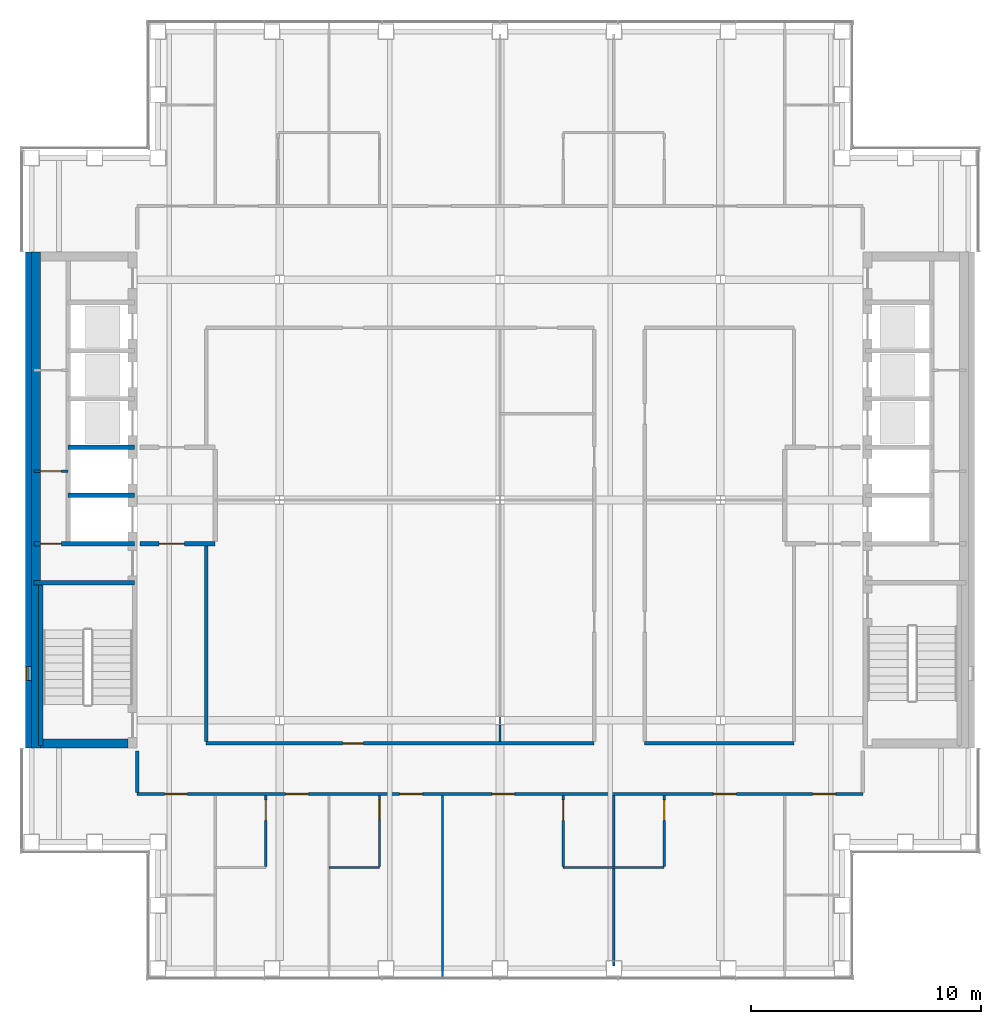
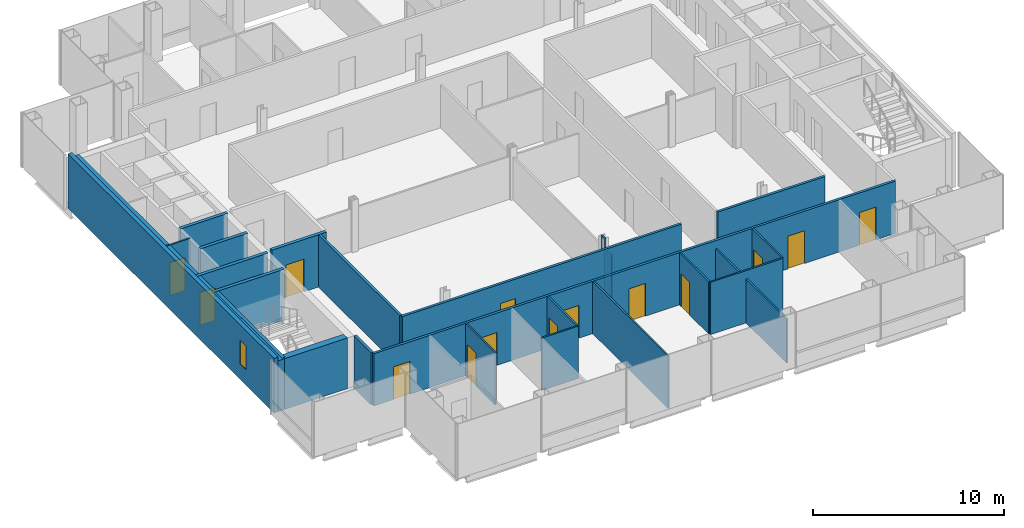
# One storey, part 10 of 15: 26 walls, 14 doors, 1 window, 15 openings.
"""IFC4 building model written with IfcOpenShell, lengths in metres."""

from ifc_helpers import new_model, si_unit, direction, frame, frame_2d, origin, place, context, subcontext, project, spatial, rectangle, extrude, material, layer, layer_set, type_object, element, fill, save


model = new_model("IFC4")

# Units and contexts
model_context = context("Model", 3, precision=1e-05, world=origin(), true_north=direction((0.0, 1.0)))
body_context = subcontext(model_context, "Body", "Model", "MODEL_VIEW")
ifc_project = project(units=[si_unit("LENGTHUNIT", "METRE"), si_unit("AREAUNIT", "SQUARE_METRE"), si_unit("VOLUMEUNIT", "CUBIC_METRE"), si_unit("PLANEANGLEUNIT", "RADIAN"), si_unit("MASSUNIT", "GRAM", prefix="KILO")], contexts=[model_context])

# Site, building, storey
site_placement = place(None, origin())
site = spatial("IfcSite", under=ifc_project, at=site_placement, CompositionType="ELEMENT")
building_placement = place(site_placement, origin())
building = spatial("IfcBuilding", under=site, at=building_placement, Name="Cobrizo Arcos Hotel Tower", CompositionType="ELEMENT")
storey_placement = place(building_placement, frame((0.0, 0.0, 201.5)))
storey = spatial("IfcBuildingStorey", under=building, at=storey_placement, Name="L52", CompositionType="ELEMENT", Elevation=201.5)

# Wall, openings, doors
ifc_material_1 = material(Name="Gypsum board partition")
ifc_layer_1 = layer(ifc_material_1, 0.14990234375)
ifc_layer_set_1 = layer_set([ifc_layer_1], Name="Corridor wall EI 60 150")
wall_type_1 = type_object("IfcWallType", Name="Corridor wall EI 60 150", PredefinedType="PARTITIONING", material=ifc_layer_set_1)
wall_1_placement = place(storey_placement, frame((-15.800048828125, -12.800048828125, 0.0), z_axis=(0.0, 0.0, 1.0), x_axis=(1.0, 0.0, 0.0)))
wall_1 = element("IfcWall", 1, at=wall_1_placement, inside=storey, type_object=wall_type_1, Name="Partition 006", PredefinedType="PARTITIONING", context=body_context, shape_type="SweptSolid", body=[
    extrude(rectangle(XDim=31.60009765625, YDim=0.14990234375, at=frame_2d((15.800048828125, 0.0))), origin(), (0.0, 0.0, 1.0), 3.35009765625),
])
opening_1_placement = place(wall_1_placement, frame((6.466064453125, 0.0, 0.0)))
opening_1 = element("IfcOpeningElement", 2, at=opening_1_placement, cuts=wall_1, Name="Opening GD-05", PredefinedType="OPENING", context=body_context, shape_type="SweptSolid", body=[
    extrude(rectangle(XDim=1.0, YDim=2.10009765625, at=frame_2d((0.5, 1.050048828125))), frame((0.0, 0.0869140625, 0.0), z_axis=(0.0, -1.0, 0.0), x_axis=(1.0, 0.0, 0.0)), (0.0, 0.0, 1.0), 0.173828125),
])
opening_2_placement = place(wall_1_placement, frame((11.43408203125, 0.0, 0.0)))
opening_2 = element("IfcOpeningElement", 3, at=opening_2_placement, cuts=wall_1, Name="Opening GD-06", PredefinedType="OPENING", context=body_context, shape_type="SweptSolid", body=[
    extrude(rectangle(XDim=1.0, YDim=2.10009765625, at=frame_2d((0.5, 1.050048828125))), frame((0.0, 0.0869140625, 0.0), z_axis=(0.0, -1.0, 0.0), x_axis=(1.0, 0.0, 0.0)), (0.0, 0.0, 1.0), 0.173828125),
])
opening_3_placement = place(wall_1_placement, frame((15.44189453125, 0.0, 0.0)))
opening_3 = element("IfcOpeningElement", 4, at=opening_3_placement, cuts=wall_1, Name="Opening GD-07", PredefinedType="OPENING", context=body_context, shape_type="SweptSolid", body=[
    extrude(rectangle(XDim=1.0, YDim=2.10009765625, at=frame_2d((0.5, 1.050048828125))), frame((0.0, 0.0869140625, 0.0), z_axis=(0.0, -1.0, 0.0), x_axis=(1.0, 0.0, 0.0)), (0.0, 0.0, 1.0), 0.173828125),
])
opening_4_placement = place(wall_1_placement, frame((25.092041015625, 0.0, 0.0)))
opening_4 = element("IfcOpeningElement", 5, at=opening_4_placement, cuts=wall_1, Name="Opening GD-08", PredefinedType="OPENING", context=body_context, shape_type="SweptSolid", body=[
    extrude(rectangle(XDim=1.0, YDim=2.10009765625, at=frame_2d((0.5, 1.050048828125))), frame((0.0, 0.0869140625, 0.0), z_axis=(0.0, -1.0, 0.0), x_axis=(1.0, 0.0, 0.0)), (0.0, 0.0, 1.0), 0.173828125),
])
opening_5_placement = place(wall_1_placement, frame((1.19189453125, 0.0, 0.0)))
opening_5 = element("IfcOpeningElement", 6, at=opening_5_placement, cuts=wall_1, Name="Opening GD-09", PredefinedType="OPENING", context=body_context, shape_type="SweptSolid", body=[
    extrude(rectangle(XDim=1.0, YDim=2.10009765625, at=frame_2d((0.5, 1.050048828125))), frame((0.0, 0.0869140625, 0.0), z_axis=(0.0, -1.0, 0.0), x_axis=(1.0, 0.0, 0.0)), (0.0, 0.0, 1.0), 0.173828125),
])
opening_6_placement = place(wall_1_placement, frame((29.408935546875, 0.0, 0.0)))
opening_6 = element("IfcOpeningElement", 7, at=opening_6_placement, cuts=wall_1, Name="Opening GD-11", PredefinedType="OPENING", context=body_context, shape_type="SweptSolid", body=[
    extrude(rectangle(XDim=1.0, YDim=2.10009765625, at=frame_2d((0.5, 1.050048828125))), frame((0.0, 0.0869140625, 0.0), z_axis=(0.0, -1.0, 0.0), x_axis=(1.0, 0.0, 0.0)), (0.0, 0.0, 1.0), 0.173828125),
])
ifc_material_2 = material(Name="Timber door leaf", Category="wood")
door_type_1 = type_object("IfcDoorType", Name="Guest room door FD30S 1000x2100", OperationType="SINGLE_SWING_LEFT", PredefinedType="DOOR", material=ifc_material_2)
door_1_placement = place(opening_1_placement, origin())
door_1 = element("IfcDoor", 8, at=door_1_placement, inside=storey, type_object=door_type_1, Name="Door GD-05", OperationType="SINGLE_SWING_LEFT", OverallHeight=2.10009765625, OverallWidth=1.0, PredefinedType="DOOR", context=body_context, shape_type="SweptSolid", body=[
    extrude(rectangle(XDim=1.0, YDim=2.10009765625, at=frame_2d((0.5, 1.050048828125))), frame((0.0, 0.02490234375, 0.0), z_axis=(0.0, -1.0, 0.0), x_axis=(1.0, 0.0, 0.0)), (0.0, 0.0, 1.0), 0.050048828125),
])
fill(opening_1, door_1)
door_2_placement = place(opening_2_placement, origin())
door_2 = element("IfcDoor", 9, at=door_2_placement, inside=storey, type_object=door_type_1, Name="Door GD-06", OperationType="SINGLE_SWING_LEFT", OverallHeight=2.10009765625, OverallWidth=1.0, PredefinedType="DOOR", context=body_context, shape_type="SweptSolid", body=[
    extrude(rectangle(XDim=1.0, YDim=2.10009765625, at=frame_2d((0.5, 1.050048828125))), frame((0.0, 0.02490234375, 0.0), z_axis=(0.0, -1.0, 0.0), x_axis=(1.0, 0.0, 0.0)), (0.0, 0.0, 1.0), 0.050048828125),
])
fill(opening_2, door_2)
door_3_placement = place(opening_3_placement, origin())
door_3 = element("IfcDoor", 10, at=door_3_placement, inside=storey, type_object=door_type_1, Name="Door GD-07", OperationType="SINGLE_SWING_LEFT", OverallHeight=2.10009765625, OverallWidth=1.0, PredefinedType="DOOR", context=body_context, shape_type="SweptSolid", body=[
    extrude(rectangle(XDim=1.0, YDim=2.10009765625, at=frame_2d((0.5, 1.050048828125))), frame((0.0, 0.02490234375, 0.0), z_axis=(0.0, -1.0, 0.0), x_axis=(1.0, 0.0, 0.0)), (0.0, 0.0, 1.0), 0.050048828125),
])
fill(opening_3, door_3)
door_4_placement = place(opening_4_placement, origin())
door_4 = element("IfcDoor", 11, at=door_4_placement, inside=storey, type_object=door_type_1, Name="Door GD-08", OperationType="SINGLE_SWING_LEFT", OverallHeight=2.10009765625, OverallWidth=1.0, PredefinedType="DOOR", context=body_context, shape_type="SweptSolid", body=[
    extrude(rectangle(XDim=1.0, YDim=2.10009765625, at=frame_2d((0.5, 1.050048828125))), frame((0.0, 0.02490234375, 0.0), z_axis=(0.0, -1.0, 0.0), x_axis=(1.0, 0.0, 0.0)), (0.0, 0.0, 1.0), 0.050048828125),
])
fill(opening_4, door_4)
door_5_placement = place(opening_5_placement, origin())
door_5 = element("IfcDoor", 12, at=door_5_placement, inside=storey, type_object=door_type_1, Name="Door GD-09", OperationType="SINGLE_SWING_LEFT", OverallHeight=2.10009765625, OverallWidth=1.0, PredefinedType="DOOR", context=body_context, shape_type="SweptSolid", body=[
    extrude(rectangle(XDim=1.0, YDim=2.10009765625, at=frame_2d((0.5, 1.050048828125))), frame((0.0, 0.02490234375, 0.0), z_axis=(0.0, -1.0, 0.0), x_axis=(1.0, 0.0, 0.0)), (0.0, 0.0, 1.0), 0.050048828125),
])
fill(opening_5, door_5)
door_6_placement = place(opening_6_placement, origin())
door_6 = element("IfcDoor", 13, at=door_6_placement, inside=storey, type_object=door_type_1, Name="Door GD-11", OperationType="SINGLE_SWING_LEFT", OverallHeight=2.10009765625, OverallWidth=1.0, PredefinedType="DOOR", context=body_context, shape_type="SweptSolid", body=[
    extrude(rectangle(XDim=1.0, YDim=2.10009765625, at=frame_2d((0.5, 1.050048828125))), frame((0.0, 0.02490234375, 0.0), z_axis=(0.0, -1.0, 0.0), x_axis=(1.0, 0.0, 0.0)), (0.0, 0.0, 1.0), 0.050048828125),
])
fill(opening_6, door_6)

# Wall, opening, door
wall_2_placement = place(storey_placement, frame((-12.800048828125, -10.60009765625, 0.0), z_axis=(0.0, 0.0, 1.0), x_axis=(1.0, 0.0, 0.0)))
wall_2 = element("IfcWall", 14, at=wall_2_placement, inside=storey, type_object=wall_type_1, Name="Partition 007", PredefinedType="PARTITIONING", context=body_context, shape_type="SweptSolid", body=[
    extrude(rectangle(XDim=16.900146484375, YDim=0.14990234375, at=frame_2d((8.4501953125, 0.0))), origin(), (0.0, 0.0, 1.0), 3.35009765625),
])
opening_7_placement = place(wall_2_placement, frame((5.949951171875, 0.0, 0.0)))
opening_7 = element("IfcOpeningElement", 15, at=opening_7_placement, cuts=wall_2, Name="Opening RD-13", PredefinedType="OPENING", context=body_context, shape_type="SweptSolid", body=[
    extrude(rectangle(XDim=0.89990234375, YDim=2.10009765625, at=frame_2d((0.449951171875, 1.050048828125))), frame((0.0, 0.0869140625, 0.0), z_axis=(0.0, -1.0, 0.0), x_axis=(1.0, 0.0, 0.0)), (0.0, 0.0, 1.0), 0.173828125),
])
door_type_2 = type_object("IfcDoorType", Name="Room door FD30 900x2100", OperationType="SINGLE_SWING_LEFT", PredefinedType="DOOR", material=ifc_material_2)
door_7_placement = place(opening_7_placement, origin())
door_7 = element("IfcDoor", 16, at=door_7_placement, inside=storey, type_object=door_type_2, Name="Door RD-13", OperationType="SINGLE_SWING_LEFT", OverallHeight=2.10009765625, OverallWidth=0.89990234375, PredefinedType="DOOR", context=body_context, shape_type="SweptSolid", body=[
    extrude(rectangle(XDim=0.89990234375, YDim=2.10009765625, at=frame_2d((0.449951171875, 1.050048828125))), frame((0.0, 0.02490234375, 0.0), z_axis=(0.0, -1.0, 0.0), x_axis=(1.0, 0.0, 0.0)), (0.0, 0.0, 1.0), 0.050048828125),
])
fill(opening_7, door_7)

# Walls
wall_3_placement = place(storey_placement, frame((6.300048828125, -10.60009765625, 0.0), z_axis=(0.0, 0.0, 1.0), x_axis=(1.0, 0.0, 0.0)))
element("IfcWall", 17, at=wall_3_placement, inside=storey, type_object=wall_type_1, Name="Partition 008", PredefinedType="PARTITIONING", context=body_context, shape_type="SweptSolid", body=[
    extrude(rectangle(XDim=6.5, YDim=0.14990234375, at=frame_2d((3.25, 0.0))), origin(), (0.0, 0.0, 1.0), 3.35009765625),
])
wall_4_placement = place(storey_placement, frame((-15.800048828125, -12.72509765625, 0.0), z_axis=(0.0, 0.0, 1.0), x_axis=(0.0, 1.0, 0.0)))
element("IfcWall", 18, at=wall_4_placement, inside=storey, type_object=wall_type_1, Name="Partition 049", PredefinedType="PARTITIONING", context=body_context, shape_type="SweptSolid", body=[
    extrude(rectangle(XDim=1.80517578125, YDim=0.14990234375, at=frame_2d((0.902587890625, 0.0))), origin(), (0.0, 0.0, 1.0), 3.35009765625),
])
wall_5_placement = place(storey_placement, frame((-12.800048828125, -10.52490234375, 0.0), z_axis=(0.0, 0.0, 1.0), x_axis=(0.0, 1.0, 0.0)))
element("IfcWall", 19, at=wall_5_placement, inside=storey, type_object=wall_type_1, Name="Partition 051", PredefinedType="PARTITIONING", context=body_context, shape_type="SweptSolid", body=[
    extrude(rectangle(XDim=8.52490234375, YDim=0.14990234375, at=frame_2d((4.262451171875, 0.0))), origin(), (0.0, 0.0, 1.0), 3.35009765625),
])

# Wall, opening, window
ifc_material_3 = material(Name="Aluminium composite panel pale metal", Category="aluminium")
ifc_layer_2 = layer(ifc_material_3, 0.25)
ifc_layer_set_2 = layer_set([ifc_layer_2], Name="EW-1 insulated panel wall 250")
wall_type_2 = type_object("IfcWallType", Name="EW-1 insulated panel wall 250", PredefinedType="SOLIDWALL", material=ifc_layer_set_2)
wall_6_placement = place(storey_placement, frame((-20.52490234375, 10.800048828125, 0.0), z_axis=(0.0, 0.0, 1.0), x_axis=(0.0, -1.0, 0.0)))
wall_6 = element("IfcWall", 20, at=wall_6_placement, inside=storey, type_object=wall_type_2, Name="Core face wall L52 W", PredefinedType="SOLIDWALL", context=body_context, shape_type="SweptSolid", body=[
    extrude(rectangle(XDim=21.60009765625, YDim=0.25, at=frame_2d((10.800048828125, 0.0))), origin(), (0.0, 0.0, 1.0), 3.5),
])
opening_8_placement = place(wall_6_placement, frame((18.050048828125, 0.0, 1.0)))
opening_8 = element("IfcOpeningElement", 21, at=opening_8_placement, cuts=wall_6, Name="Opening W-118", PredefinedType="OPENING", context=body_context, shape_type="SweptSolid", body=[
    extrude(rectangle(XDim=0.60009765625, YDim=1.5, at=frame_2d((0.300048828125, 0.75))), frame((0.0, 0.136962890625, 0.0), z_axis=(0.0, -1.0, 0.0), x_axis=(1.0, 0.0, 0.0)), (0.0, 0.0, 1.0), 0.27392578125),
])
ifc_material_4 = material(Name="Aluminium 6063-T6 and clear laminated glass", Category="aluminium")
window_type = type_object("IfcWindowType", Name="W-C1 core stair slot window 600x1500", PartitioningType="SINGLE_PANEL", PredefinedType="WINDOW", material=ifc_material_4)
window_placement = place(opening_8_placement, origin())
window = element("IfcWindow", 22, at=window_placement, inside=storey, type_object=window_type, Name="Core face wall L52 W window W-118", OverallHeight=1.5, OverallWidth=0.60009765625, PartitioningType="SINGLE_PANEL", PredefinedType="WINDOW", context=body_context, shape_type="SweptSolid", body=[
    extrude(rectangle(XDim=0.60009765625, YDim=1.5, at=frame_2d((0.300048828125, 0.75))), frame((0.0, -0.034912109375, 0.0), z_axis=(0.0, -1.0, 0.0), x_axis=(1.0, 0.0, 0.0)), (0.0, 0.0, 1.0), 0.06005859375),
])
fill(opening_8, window)

# Walls
ifc_layer_3 = layer(ifc_material_1, 0.10009765625)
ifc_layer_set_3 = layer_set([ifc_layer_3], Name="Partition EI 30 100")
wall_type_3 = type_object("IfcWallType", Name="Partition EI 30 100", PredefinedType="PARTITIONING", material=ifc_layer_set_3)
wall_7_placement = place(storey_placement, frame((-7.449951171875, -16.0, 0.0), z_axis=(0.0, 0.0, 1.0), x_axis=(1.0, 0.0, 0.0)))
element("IfcWall", 23, at=wall_7_placement, inside=storey, type_object=wall_type_3, Name="Partition 004", PredefinedType="PARTITIONING", context=body_context, shape_type="SweptSolid", body=[
    extrude(rectangle(XDim=2.199951171875, YDim=0.10009765625, at=frame_2d((1.10009765625, 0.0))), origin(), (0.0, 0.0, 1.0), 3.35009765625),
])
wall_8_placement = place(storey_placement, frame((2.75, -16.0, 0.0), z_axis=(0.0, 0.0, 1.0), x_axis=(1.0, 0.0, 0.0)))
element("IfcWall", 24, at=wall_8_placement, inside=storey, type_object=wall_type_3, Name="Partition 005", PredefinedType="PARTITIONING", context=body_context, shape_type="SweptSolid", body=[
    extrude(rectangle(XDim=4.39990234375, YDim=0.10009765625, at=frame_2d((2.199951171875, 0.0))), origin(), (0.0, 0.0, 1.0), 3.35009765625),
])

# Wall, opening, door
wall_9_placement = place(storey_placement, frame((-20.280029296875, 1.25, 0.0), z_axis=(0.0, 0.0, 1.0), x_axis=(1.0, 0.0, 0.0)))
wall_9 = element("IfcWall", 25, at=wall_9_placement, inside=storey, type_object=wall_type_3, Name="Partition 025", PredefinedType="PARTITIONING", context=body_context, shape_type="SweptSolid", body=[
    extrude(rectangle(XDim=1.47998046875, YDim=0.10009765625, at=frame_2d((0.739990234375, 0.0))), origin(), (0.0, 0.0, 1.0), 3.25),
])
opening_9_placement = place(wall_9_placement, frame((0.280029296875, 0.0, 0.0)))
opening_9 = element("IfcOpeningElement", 26, at=opening_9_placement, cuts=wall_9, Name="Opening RD-03", PredefinedType="OPENING", context=body_context, shape_type="SweptSolid", body=[
    extrude(rectangle(XDim=0.89990234375, YDim=2.10009765625, at=frame_2d((0.449951171875, 1.050048828125))), frame((0.0, 0.06201171875, 0.0), z_axis=(0.0, -1.0, 0.0), x_axis=(1.0, 0.0, 0.0)), (0.0, 0.0, 1.0), 0.1240234375),
])
door_8_placement = place(opening_9_placement, origin())
door_8 = element("IfcDoor", 27, at=door_8_placement, inside=storey, type_object=door_type_2, Name="Door RD-03", OperationType="SINGLE_SWING_RIGHT", OverallHeight=2.10009765625, OverallWidth=0.89990234375, PredefinedType="DOOR", context=body_context, shape_type="SweptSolid", body=[
    extrude(rectangle(XDim=0.89990234375, YDim=2.10009765625, at=frame_2d((0.449951171875, 1.050048828125))), frame((0.0, 0.02490234375, 0.0), z_axis=(0.0, -1.0, 0.0), x_axis=(1.0, 0.0, 0.0)), (0.0, 0.0, 1.0), 0.050048828125),
])
fill(opening_9, door_8)

wall_10_placement = place(storey_placement, frame((-10.199951171875, -15.949951171875, 0.0), z_axis=(0.0, 0.0, 1.0), x_axis=(0.0, 1.0, 0.0)))
wall_10 = element("IfcWall", 28, at=wall_10_placement, inside=storey, type_object=wall_type_3, Name="Partition 056", PredefinedType="PARTITIONING", context=body_context, shape_type="SweptSolid", body=[
    extrude(rectangle(XDim=3.074951171875, YDim=0.10009765625, at=frame_2d((1.53759765625, 0.0))), origin(), (0.0, 0.0, 1.0), 3.35009765625),
])
opening_10_placement = place(wall_10_placement, frame((1.99609375, 0.0, 0.0)))
opening_10 = element("IfcOpeningElement", 29, at=opening_10_placement, cuts=wall_10, Name="Opening ED-05", PredefinedType="OPENING", context=body_context, shape_type="SweptSolid", body=[
    extrude(rectangle(XDim=0.89990234375, YDim=2.10009765625, at=frame_2d((0.449951171875, 1.050048828125))), frame((0.0, 0.06201171875, 0.0), z_axis=(0.0, -1.0, 0.0), x_axis=(1.0, 0.0, 0.0)), (0.0, 0.0, 1.0), 0.1240234375),
])
door_type_3 = type_object("IfcDoorType", Name="En-suite door 900x2100", OperationType="SINGLE_SWING_LEFT", PredefinedType="DOOR", material=ifc_material_2)
door_9_placement = place(opening_10_placement, origin())
door_9 = element("IfcDoor", 30, at=door_9_placement, inside=storey, type_object=door_type_3, Name="Door ED-05", OperationType="SINGLE_SWING_RIGHT", OverallHeight=2.10009765625, OverallWidth=0.89990234375, PredefinedType="DOOR", context=body_context, shape_type="SweptSolid", body=[
    extrude(rectangle(XDim=0.89990234375, YDim=2.10009765625, at=frame_2d((0.449951171875, 1.050048828125))), frame((0.0, 0.02490234375, 0.0), z_axis=(0.0, -1.0, 0.0), x_axis=(1.0, 0.0, 0.0)), (0.0, 0.0, 1.0), 0.050048828125),
])
fill(opening_10, door_9)

wall_11_placement = place(storey_placement, frame((-5.25, -15.949951171875, 0.0), z_axis=(0.0, 0.0, 1.0), x_axis=(0.0, 1.0, 0.0)))
wall_11 = element("IfcWall", 31, at=wall_11_placement, inside=storey, type_object=wall_type_3, Name="Partition 061", PredefinedType="PARTITIONING", context=body_context, shape_type="SweptSolid", body=[
    extrude(rectangle(XDim=3.074951171875, YDim=0.10009765625, at=frame_2d((1.53759765625, 0.0))), origin(), (0.0, 0.0, 1.0), 3.35009765625),
])
opening_11_placement = place(wall_11_placement, frame((1.99609375, 0.0, 0.0)))
opening_11 = element("IfcOpeningElement", 32, at=opening_11_placement, cuts=wall_11, Name="Opening ED-06", PredefinedType="OPENING", context=body_context, shape_type="SweptSolid", body=[
    extrude(rectangle(XDim=0.89990234375, YDim=2.10009765625, at=frame_2d((0.449951171875, 1.050048828125))), frame((0.0, 0.06201171875, 0.0), z_axis=(0.0, -1.0, 0.0), x_axis=(1.0, 0.0, 0.0)), (0.0, 0.0, 1.0), 0.1240234375),
])
door_10_placement = place(opening_11_placement, origin())
door_10 = element("IfcDoor", 33, at=door_10_placement, inside=storey, type_object=door_type_3, Name="Door ED-06", OperationType="SINGLE_SWING_RIGHT", OverallHeight=2.10009765625, OverallWidth=0.89990234375, PredefinedType="DOOR", context=body_context, shape_type="SweptSolid", body=[
    extrude(rectangle(XDim=0.89990234375, YDim=2.10009765625, at=frame_2d((0.449951171875, 1.050048828125))), frame((0.0, 0.02490234375, 0.0), z_axis=(0.0, -1.0, 0.0), x_axis=(1.0, 0.0, 0.0)), (0.0, 0.0, 1.0), 0.050048828125),
])
fill(opening_11, door_10)

# Walls
wall_12_placement = place(storey_placement, frame((-2.5, -20.780029296875, 0.0), z_axis=(0.0, 0.0, 1.0), x_axis=(0.0, 1.0, 0.0)))
element("IfcWall", 34, at=wall_12_placement, inside=storey, type_object=wall_type_3, Name="Partition 063", PredefinedType="PARTITIONING", context=body_context, shape_type="SweptSolid", body=[
    extrude(rectangle(XDim=7.905029296875, YDim=0.10009765625, at=frame_2d((3.95263671875, 0.0))), origin(), (0.0, 0.0, 1.0), 3.35009765625),
])
wall_13_placement = place(storey_placement, frame((0.0, -10.52490234375, 0.0), z_axis=(0.0, 0.0, 1.0), x_axis=(0.0, 1.0, 0.0)))
element("IfcWall", 35, at=wall_13_placement, inside=storey, type_object=wall_type_3, Name="Partition 064", PredefinedType="PARTITIONING", context=body_context, shape_type="SweptSolid", body=[
    extrude(rectangle(XDim=0.73779296875, YDim=0.10009765625, at=frame_2d((0.368896484375, 0.0))), origin(), (0.0, 0.0, 1.0), 2.72802734375),
])
wall_14_placement = place(storey_placement, frame((0.0, -9.787109375, 0.0), z_axis=(0.0, 0.0, 1.0), x_axis=(0.0, 1.0, 0.0)))
element("IfcWall", 36, at=wall_14_placement, inside=storey, type_object=wall_type_3, Name="Partition 065", PredefinedType="PARTITIONING", context=body_context, shape_type="SweptSolid", body=[
    extrude(rectangle(XDim=0.3740234375, YDim=0.10009765625, at=frame_2d((0.18701171875, 0.0))), origin(), (0.0, 0.0, 1.0), 3.35009765625),
])

# Wall, opening, door
wall_15_placement = place(storey_placement, frame((2.75, -15.949951171875, 0.0), z_axis=(0.0, 0.0, 1.0), x_axis=(0.0, 1.0, 0.0)))
wall_15 = element("IfcWall", 37, at=wall_15_placement, inside=storey, type_object=wall_type_3, Name="Partition 069", PredefinedType="PARTITIONING", context=body_context, shape_type="SweptSolid", body=[
    extrude(rectangle(XDim=3.074951171875, YDim=0.10009765625, at=frame_2d((1.53759765625, 0.0))), origin(), (0.0, 0.0, 1.0), 3.35009765625),
])
opening_12_placement = place(wall_15_placement, frame((1.99609375, 0.0, 0.0)))
opening_12 = element("IfcOpeningElement", 38, at=opening_12_placement, cuts=wall_15, Name="Opening ED-07", PredefinedType="OPENING", context=body_context, shape_type="SweptSolid", body=[
    extrude(rectangle(XDim=0.89990234375, YDim=2.10009765625, at=frame_2d((0.449951171875, 1.050048828125))), frame((0.0, 0.06201171875, 0.0), z_axis=(0.0, -1.0, 0.0), x_axis=(1.0, 0.0, 0.0)), (0.0, 0.0, 1.0), 0.1240234375),
])
door_11_placement = place(opening_12_placement, origin())
door_11 = element("IfcDoor", 39, at=door_11_placement, inside=storey, type_object=door_type_3, Name="Door ED-07", OperationType="SINGLE_SWING_LEFT", OverallHeight=2.10009765625, OverallWidth=0.89990234375, PredefinedType="DOOR", context=body_context, shape_type="SweptSolid", body=[
    extrude(rectangle(XDim=0.89990234375, YDim=2.10009765625, at=frame_2d((0.449951171875, 1.050048828125))), frame((0.0, 0.02490234375, 0.0), z_axis=(0.0, -1.0, 0.0), x_axis=(1.0, 0.0, 0.0)), (0.0, 0.0, 1.0), 0.050048828125),
])
fill(opening_12, door_11)

# Walls
wall_16_placement = place(storey_placement, frame((4.949951171875, -20.280029296875, 0.0), z_axis=(0.0, 0.0, 1.0), x_axis=(0.0, 1.0, 0.0)))
element("IfcWall", 40, at=wall_16_placement, inside=storey, type_object=wall_type_3, Name="Partition 072", PredefinedType="PARTITIONING", context=body_context, shape_type="SweptSolid", body=[
    extrude(rectangle(XDim=4.22998046875, YDim=0.10009765625, at=frame_2d((2.114990234375, 0.0))), origin(), (0.0, 0.0, 1.0), 2.81689453125),
])
wall_17_placement = place(storey_placement, frame((4.949951171875, -15.949951171875, 0.0), z_axis=(0.0, 0.0, 1.0), x_axis=(0.0, 1.0, 0.0)))
element("IfcWall", 41, at=wall_17_placement, inside=storey, type_object=wall_type_3, Name="Partition 073", PredefinedType="PARTITIONING", context=body_context, shape_type="SweptSolid", body=[
    extrude(rectangle(XDim=3.074951171875, YDim=0.10009765625, at=frame_2d((1.53759765625, 0.0))), origin(), (0.0, 0.0, 1.0), 2.81689453125),
])

# Wall, opening, door
wall_18_placement = place(storey_placement, frame((7.14990234375, -15.949951171875, 0.0), z_axis=(0.0, 0.0, 1.0), x_axis=(0.0, 1.0, 0.0)))
wall_18 = element("IfcWall", 42, at=wall_18_placement, inside=storey, type_object=wall_type_3, Name="Partition 077", PredefinedType="PARTITIONING", context=body_context, shape_type="SweptSolid", body=[
    extrude(rectangle(XDim=3.074951171875, YDim=0.10009765625, at=frame_2d((1.53759765625, 0.0))), origin(), (0.0, 0.0, 1.0), 3.35009765625),
])
opening_13_placement = place(wall_18_placement, frame((1.99609375, 0.0, 0.0)))
opening_13 = element("IfcOpeningElement", 43, at=opening_13_placement, cuts=wall_18, Name="Opening ED-08", PredefinedType="OPENING", context=body_context, shape_type="SweptSolid", body=[
    extrude(rectangle(XDim=0.89990234375, YDim=2.10009765625, at=frame_2d((0.449951171875, 1.050048828125))), frame((0.0, 0.06201171875, 0.0), z_axis=(0.0, -1.0, 0.0), x_axis=(1.0, 0.0, 0.0)), (0.0, 0.0, 1.0), 0.1240234375),
])
door_12_placement = place(opening_13_placement, origin())
door_12 = element("IfcDoor", 44, at=door_12_placement, inside=storey, type_object=door_type_3, Name="Door ED-08", OperationType="SINGLE_SWING_LEFT", OverallHeight=2.10009765625, OverallWidth=0.89990234375, PredefinedType="DOOR", context=body_context, shape_type="SweptSolid", body=[
    extrude(rectangle(XDim=0.89990234375, YDim=2.10009765625, at=frame_2d((0.449951171875, 1.050048828125))), frame((0.0, 0.02490234375, 0.0), z_axis=(0.0, -1.0, 0.0), x_axis=(1.0, 0.0, 0.0)), (0.0, 0.0, 1.0), 0.050048828125),
])
fill(opening_13, door_12)

# Walls
ifc_material_5 = material(Name="Concrete f'c 40 MPa", Category="concrete")
ifc_layer_4 = layer(ifc_material_5, 0.39990234375)
ifc_layer_set_4 = layer_set([ifc_layer_4], Name="RC core wall 400 f'c 40")
wall_type_4 = type_object("IfcWallType", Name="RC core wall 400 f'c 40", PredefinedType="SHEAR", material=ifc_layer_set_4)
wall_19_placement = place(storey_placement, frame((-20.199951171875, -10.800048828125, 0.0), z_axis=(0.0, 0.0, 1.0), x_axis=(0.0, 1.0, 0.0)))
element("IfcWall", 45, at=wall_19_placement, inside=storey, type_object=wall_type_4, Name="Core wall CW4, west core, outer face, L52", PredefinedType="SHEAR", context=body_context, shape_type="SweptSolid", body=[
    extrude(rectangle(XDim=21.60009765625, YDim=0.39990234375, at=frame_2d((10.800048828125, 0.0))), origin(), (0.0, 0.0, 1.0), 3.25),
])
wall_20_placement = place(storey_placement, frame((-20.0, -10.60009765625, 0.0), z_axis=(0.0, 0.0, 1.0), x_axis=(1.0, 0.0, 0.0)))
element("IfcWall", 46, at=wall_20_placement, inside=storey, type_object=wall_type_4, Name="Core wall CW4, west core, south end, L52", PredefinedType="SHEAR", context=body_context, shape_type="SweptSolid", body=[
    extrude(rectangle(XDim=3.800048828125, YDim=0.39990234375, at=frame_2d((1.89990234375, 0.0))), origin(), (0.0, 0.0, 1.0), 3.25),
])

# Wall, opening, door
ifc_layer_5 = layer(ifc_material_1, 0.199951171875)
ifc_layer_set_5 = layer_set([ifc_layer_5], Name="Shaft wall EI 120 200")
wall_type_5 = type_object("IfcWallType", Name="Shaft wall EI 120 200", PredefinedType="PARTITIONING", material=ifc_layer_set_5)
wall_21_placement = place(storey_placement, frame((-20.280029296875, -1.89990234375, 0.0), z_axis=(0.0, 0.0, 1.0), x_axis=(1.0, 0.0, 0.0)))
wall_21 = element("IfcWall", 47, at=wall_21_placement, inside=storey, type_object=wall_type_5, Name="Partition 011", PredefinedType="PARTITIONING", context=body_context, shape_type="SweptSolid", body=[
    extrude(rectangle(XDim=4.360107421875, YDim=0.199951171875, at=frame_2d((2.18017578125, 0.0))), origin(), (0.0, 0.0, 1.0), 3.25),
])
opening_14_placement = place(wall_21_placement, frame((0.280029296875, 0.0, 0.0)))
opening_14 = element("IfcOpeningElement", 48, at=opening_14_placement, cuts=wall_21, Name="Opening RD-02", PredefinedType="OPENING", context=body_context, shape_type="SweptSolid", body=[
    extrude(rectangle(XDim=0.89990234375, YDim=2.10009765625, at=frame_2d((0.449951171875, 1.050048828125))), frame((0.0, 0.112060546875, 0.0), z_axis=(0.0, -1.0, 0.0), x_axis=(1.0, 0.0, 0.0)), (0.0, 0.0, 1.0), 0.223876953125),
])
door_13_placement = place(opening_14_placement, origin())
door_13 = element("IfcDoor", 49, at=door_13_placement, inside=storey, type_object=door_type_2, Name="Door RD-02", OperationType="SINGLE_SWING_LEFT", OverallHeight=2.10009765625, OverallWidth=0.89990234375, PredefinedType="DOOR", context=body_context, shape_type="SweptSolid", body=[
    extrude(rectangle(XDim=0.89990234375, YDim=2.10009765625, at=frame_2d((0.449951171875, 1.050048828125))), frame((0.0, 0.02490234375, 0.0), z_axis=(0.0, -1.0, 0.0), x_axis=(1.0, 0.0, 0.0)), (0.0, 0.0, 1.0), 0.050048828125),
])
fill(opening_14, door_13)

wall_22_placement = place(storey_placement, frame((-15.679931640625, -1.89990234375, 0.0), z_axis=(0.0, 0.0, 1.0), x_axis=(1.0, 0.0, 0.0)))
wall_22 = element("IfcWall", 50, at=wall_22_placement, inside=storey, type_object=wall_type_5, Name="Partition 012", PredefinedType="PARTITIONING", context=body_context, shape_type="SweptSolid", body=[
    extrude(rectangle(XDim=3.280029296875, YDim=0.199951171875, at=frame_2d((1.64013671875, 0.0))), origin(), (0.0, 0.0, 1.0), 3.35009765625),
])
opening_15_placement = place(wall_22_placement, frame((0.840087890625, 0.0, 0.0)))
opening_15 = element("IfcOpeningElement", 51, at=opening_15_placement, cuts=wall_22, Name="Opening FD-03", PredefinedType="OPENING", context=body_context, shape_type="SweptSolid", body=[
    extrude(rectangle(XDim=1.10009765625, YDim=2.10009765625, at=frame_2d((0.550048828125, 1.050048828125))), frame((0.0, 0.112060546875, 0.0), z_axis=(0.0, -1.0, 0.0), x_axis=(1.0, 0.0, 0.0)), (0.0, 0.0, 1.0), 0.223876953125),
])
ifc_material_6 = material(Name="Steel door leaf", Category="steel")
door_type_4 = type_object("IfcDoorType", Name="Fire door FD60 1100x2100", OperationType="SINGLE_SWING_LEFT", PredefinedType="DOOR", material=ifc_material_6)
door_14_placement = place(opening_15_placement, origin())
door_14 = element("IfcDoor", 52, at=door_14_placement, inside=storey, type_object=door_type_4, Name="Door FD-03", OperationType="SINGLE_SWING_RIGHT", OverallHeight=2.10009765625, OverallWidth=1.10009765625, PredefinedType="DOOR", context=body_context, shape_type="SweptSolid", body=[
    extrude(rectangle(XDim=1.10009765625, YDim=2.10009765625, at=frame_2d((0.550048828125, 1.050048828125))), frame((0.0, 0.02490234375, 0.0), z_axis=(0.0, -1.0, 0.0), x_axis=(1.0, 0.0, 0.0)), (0.0, 0.0, 1.0), 0.050048828125),
])
fill(opening_15, door_14)

# Walls
for number, where, z_axis, x_axis, name in (
    (53, (-18.800048828125, 0.199951171875, 0.0), (0.0, 0.0, 1.0), (1.0, 0.0, 0.0), "Partition 023"),
    (54, (-18.800048828125, 2.300048828125, 0.0), (0.0, 0.0, 1.0), (1.0, 0.0, 0.0), "Partition 027"),
):
    element("IfcWall", number, at=place(storey_placement, frame(where, z_axis=z_axis, x_axis=x_axis)), inside=storey, type_object=wall_type_5, Name=name, PredefinedType="PARTITIONING", context=body_context, shape_type="SweptSolid", body=[
        extrude(rectangle(XDim=2.880126953125, YDim=0.199951171875, at=frame_2d((1.43994140625, 0.0))), origin(), (0.0, 0.0, 1.0), 3.25),
    ])
ifc_layer_6 = layer(ifc_material_5, 0.199951171875)
ifc_layer_set_6 = layer_set([ifc_layer_6], Name="Stair shaft wall 200")
wall_type_6 = type_object("IfcWallType", Name="Stair shaft wall 200", PredefinedType="SHEAR", material=ifc_layer_set_6)
wall_23_placement = place(storey_placement, frame((-20.280029296875, -3.60009765625, 0.0), z_axis=(0.0, 0.0, 1.0), x_axis=(1.0, 0.0, 0.0)))
element("IfcWall", 55, at=wall_23_placement, inside=storey, type_object=wall_type_6, Name="Stair shaft wall W", PredefinedType="SHEAR", context=body_context, shape_type="SweptSolid", body=[
    extrude(rectangle(XDim=4.360107421875, YDim=0.199951171875, at=frame_2d((2.18017578125, 0.0))), origin(), (0.0, 0.0, 1.0), 3.25),
])
wall_24_placement = place(storey_placement, frame((-20.0, -10.679931640625, 0.0), z_axis=(0.0, 0.0, 1.0), x_axis=(0.0, 1.0, 0.0)))
element("IfcWall", 56, at=wall_24_placement, inside=storey, type_object=wall_type_6, Name="Stair shaft wall W", PredefinedType="SHEAR", context=body_context, shape_type="SweptSolid", body=[
    extrude(rectangle(XDim=6.97998046875, YDim=0.199951171875, at=frame_2d((3.489990234375, 0.0))), origin(), (0.0, 0.0, 1.0), 3.25),
])

save(model, "model.ifc")
